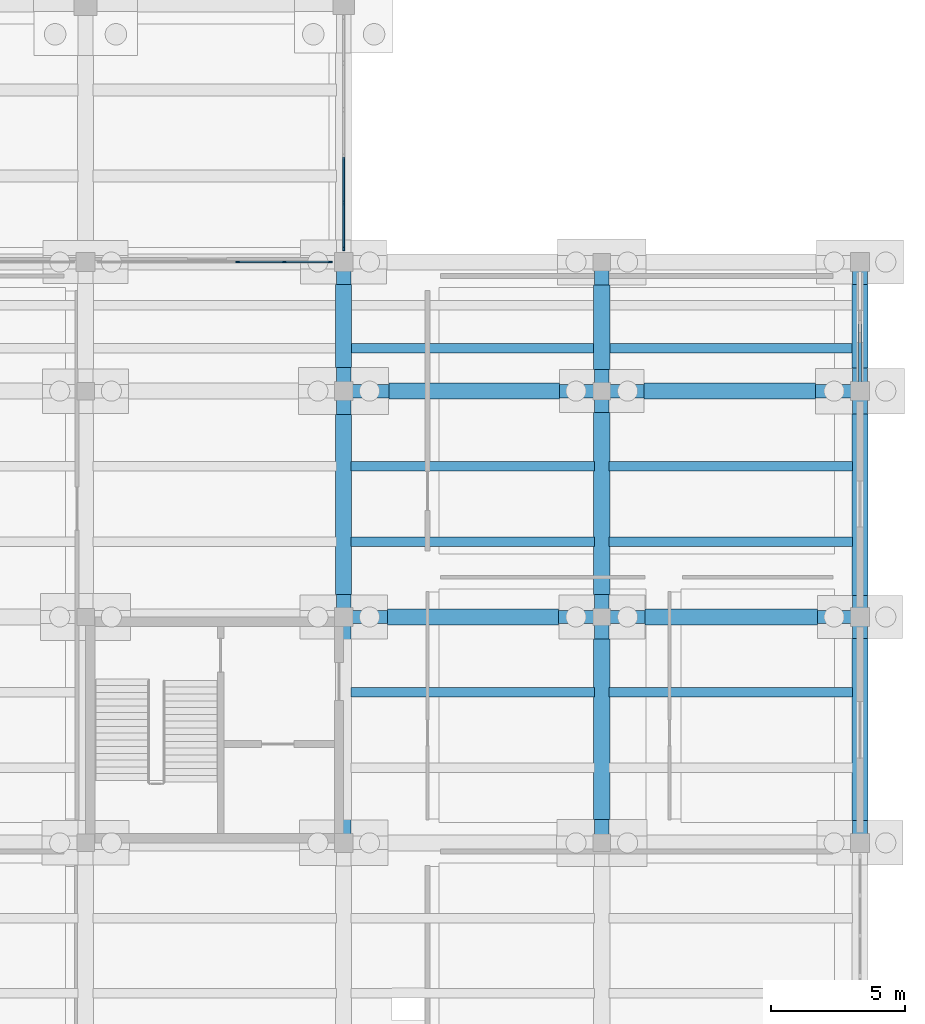
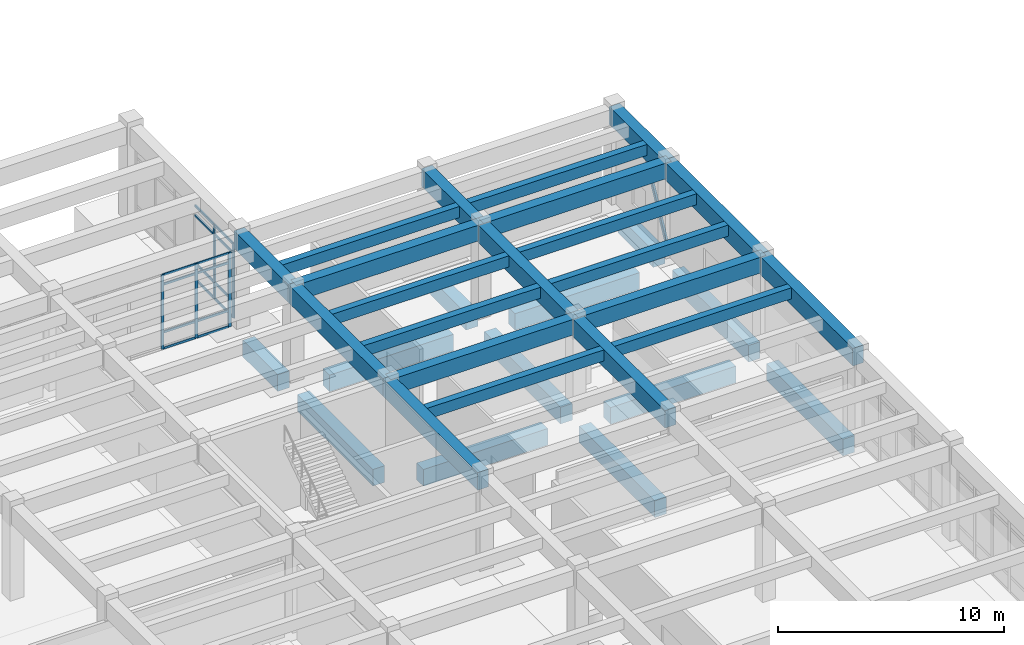
# One storey, part 53 of 102: 33 beams, 22 members, 2 elements without a shape of their own.
"""IFC4 building model written with IfcOpenShell, lengths in metres."""

from ifc_helpers import new_model, si_unit, direction, frame, origin, origin_2d, place, context, subcontext, project, spatial, rectangle, hollow_rectangle, extrude, material, layer, layer_set, material_profile, profile_set, type_object, element, aggregate, save


model = new_model("IFC4")

# Units and contexts
model_context = context("Model", 3, precision=1e-05, world=origin(), true_north=direction((0.0, 1.0)))
body_context = subcontext(model_context, "Body", "Model", "MODEL_VIEW")
ifc_project = project(units=[si_unit("LENGTHUNIT", "METRE"), si_unit("AREAUNIT", "SQUARE_METRE"), si_unit("VOLUMEUNIT", "CUBIC_METRE"), si_unit("PLANEANGLEUNIT", "RADIAN"), si_unit("MASSUNIT", "GRAM", prefix="KILO")], contexts=[model_context])

# Site, building, storey
site_placement = place(None, origin())
site = spatial("IfcSite", under=ifc_project, at=site_placement, CompositionType="ELEMENT")
building_placement = place(site_placement, origin())
building = spatial("IfcBuilding", under=site, at=building_placement, Name="Kolvemor Railside Polytechnic", CompositionType="ELEMENT")
storey_placement = place(building_placement, origin())
storey = spatial("IfcBuildingStorey", under=building, at=storey_placement, Name="L00", CompositionType="ELEMENT", Elevation=0.0)

# Beams
ifc_material_1 = material(Name="Concrete C40/50", Category="concrete")
ifc_material_profile_1 = material_profile(ifc_material_1, rectangle(XDim=0.550048828125, YDim=0.949951171875, at=origin_2d()), Name="RC550x950")
ifc_profile_set_1 = profile_set([ifc_material_profile_1], Name="Concrete C40/50")
beam_type_1 = type_object("IfcBeamType", Name="BM-RC-GIRD", PredefinedType="BEAM", material=ifc_profile_set_1)
beam_1_placement = place(storey_placement, frame((163.199951171875, 60.0, 4.635009765625), z_axis=(0.0, 1.0, 0.0), x_axis=(-1.0, 0.0, 0.0)))
element("IfcBeam", 1, at=beam_1_placement, inside=storey, type_object=beam_type_1, Name="Primary Girder L01-GY 0402", PredefinedType="BEAM", context=body_context, shape_type="SweptSolid", body=[
    extrude(rectangle(XDim=0.550048828125, YDim=0.949951171875, at=origin_2d()), origin(), (0.0, 0.0, 1.0), 8.39990234375),
])
beam_2_placement = place(storey_placement, frame((163.199951171875, 68.39990234375, 4.635009765625), z_axis=(0.0, 1.0, 0.0), x_axis=(-1.0, 0.0, 0.0)))
element("IfcBeam", 2, at=beam_2_placement, inside=storey, type_object=beam_type_1, Name="Primary Girder L01-GY 0403", PredefinedType="BEAM", context=body_context, shape_type="SweptSolid", body=[
    extrude(rectangle(XDim=0.550048828125, YDim=0.949951171875, at=origin_2d()), origin(), (0.0, 0.0, 1.0), 8.400146484375),
])
beam_3_placement = place(storey_placement, frame((163.199951171875, 76.800048828125, 4.635009765625), z_axis=(0.0, 1.0, 0.0), x_axis=(-1.0, 0.0, 0.0)))
element("IfcBeam", 3, at=beam_3_placement, inside=storey, type_object=beam_type_1, Name="Primary Girder L01-GY 0404", PredefinedType="BEAM", context=body_context, shape_type="SweptSolid", body=[
    extrude(rectangle(XDim=0.550048828125, YDim=0.949951171875, at=origin_2d()), origin(), (0.0, 0.0, 1.0), 4.800048828125),
])
beam_4_placement = place(storey_placement, frame((172.800048828125, 60.0, 4.635009765625), z_axis=(0.0, 1.0, 0.0), x_axis=(-1.0, 0.0, 0.0)))
element("IfcBeam", 4, at=beam_4_placement, inside=storey, type_object=beam_type_1, Name="Primary Girder L01-GY 0411", PredefinedType="BEAM", context=body_context, shape_type="SweptSolid", body=[
    extrude(rectangle(XDim=0.550048828125, YDim=0.949951171875, at=origin_2d()), origin(), (0.0, 0.0, 1.0), 8.39990234375),
])
beam_5_placement = place(storey_placement, frame((172.800048828125, 68.39990234375, 4.635009765625), z_axis=(0.0, 1.0, 0.0), x_axis=(-1.0, 0.0, 0.0)))
element("IfcBeam", 5, at=beam_5_placement, inside=storey, type_object=beam_type_1, Name="Primary Girder L01-GY 0412", PredefinedType="BEAM", context=body_context, shape_type="SweptSolid", body=[
    extrude(rectangle(XDim=0.550048828125, YDim=0.949951171875, at=origin_2d()), origin(), (0.0, 0.0, 1.0), 8.400146484375),
])
beam_6_placement = place(storey_placement, frame((172.800048828125, 76.800048828125, 4.635009765625), z_axis=(0.0, 1.0, 0.0), x_axis=(-1.0, 0.0, 0.0)))
element("IfcBeam", 6, at=beam_6_placement, inside=storey, type_object=beam_type_1, Name="Primary Girder L01-GY 0413", PredefinedType="BEAM", context=body_context, shape_type="SweptSolid", body=[
    extrude(rectangle(XDim=0.550048828125, YDim=0.949951171875, at=origin_2d()), origin(), (0.0, 0.0, 1.0), 4.800048828125),
])
beam_7_placement = place(storey_placement, frame((182.39990234375, 60.0, 4.635009765625), z_axis=(0.0, 1.0, 0.0), x_axis=(-1.0, 0.0, 0.0)))
element("IfcBeam", 7, at=beam_7_placement, inside=storey, type_object=beam_type_1, Name="Primary Girder L01-GY 0420", PredefinedType="BEAM", context=body_context, shape_type="SweptSolid", body=[
    extrude(rectangle(XDim=0.550048828125, YDim=0.949951171875, at=origin_2d()), origin(), (0.0, 0.0, 1.0), 8.39990234375),
])
beam_8_placement = place(storey_placement, frame((182.39990234375, 68.39990234375, 4.635009765625), z_axis=(0.0, 1.0, 0.0), x_axis=(-1.0, 0.0, 0.0)))
element("IfcBeam", 8, at=beam_8_placement, inside=storey, type_object=beam_type_1, Name="Primary Girder L01-GY 0421", PredefinedType="BEAM", context=body_context, shape_type="SweptSolid", body=[
    extrude(rectangle(XDim=0.550048828125, YDim=0.949951171875, at=origin_2d()), origin(), (0.0, 0.0, 1.0), 8.400146484375),
])
beam_9_placement = place(storey_placement, frame((182.39990234375, 76.800048828125, 4.635009765625), z_axis=(0.0, 1.0, 0.0), x_axis=(-1.0, 0.0, 0.0)))
element("IfcBeam", 9, at=beam_9_placement, inside=storey, type_object=beam_type_1, Name="Primary Girder L01-GY 0422", PredefinedType="BEAM", context=body_context, shape_type="SweptSolid", body=[
    extrude(rectangle(XDim=0.550048828125, YDim=0.949951171875, at=origin_2d()), origin(), (0.0, 0.0, 1.0), 4.800048828125),
])
ifc_material_2 = material(Name="Concrete C40/50", Category="concrete")
ifc_material_profile_2 = material_profile(ifc_material_2, rectangle(XDim=0.5, YDim=0.85009765625, at=origin_2d()), Name="RC500x850")
ifc_profile_set_2 = profile_set([ifc_material_profile_2], Name="Concrete C40/50")
beam_type_2 = type_object("IfcBeamType", Name="BM-RC-GIRD3", PredefinedType="BEAM", material=ifc_profile_set_2)
beam_10_placement = place(storey_placement, frame((163.199951171875, 68.39990234375, 4.68505859375), z_axis=(1.0, 0.0, 0.0), x_axis=(0.0, 1.0, 0.0)))
element("IfcBeam", 10, at=beam_10_placement, inside=storey, type_object=beam_type_2, Name="Primary Girder L01-GX 0368", PredefinedType="BEAM", context=body_context, shape_type="SweptSolid", body=[
    extrude(rectangle(XDim=0.5, YDim=0.85009765625, at=origin_2d()), origin(), (0.0, 0.0, 1.0), 9.60009765625),
])
beam_11_placement = place(storey_placement, frame((172.800048828125, 68.39990234375, 4.68505859375), z_axis=(1.0, 0.0, 0.0), x_axis=(0.0, 1.0, 0.0)))
element("IfcBeam", 11, at=beam_11_placement, inside=storey, type_object=beam_type_2, Name="Primary Girder L01-GX 0369", PredefinedType="BEAM", context=body_context, shape_type="SweptSolid", body=[
    extrude(rectangle(XDim=0.5, YDim=0.85009765625, at=origin_2d()), origin(), (0.0, 0.0, 1.0), 9.599853515625),
])
beam_12_placement = place(storey_placement, frame((163.199951171875, 76.800048828125, 4.68505859375), z_axis=(1.0, 0.0, 0.0), x_axis=(0.0, 1.0, 0.0)))
element("IfcBeam", 12, at=beam_12_placement, inside=storey, type_object=beam_type_2, Name="Primary Girder L01-GX 0372", PredefinedType="BEAM", context=body_context, shape_type="SweptSolid", body=[
    extrude(rectangle(XDim=0.5, YDim=0.85009765625, at=origin_2d()), origin(), (0.0, 0.0, 1.0), 9.60009765625),
])
beam_13_placement = place(storey_placement, frame((172.800048828125, 76.800048828125, 4.68505859375), z_axis=(1.0, 0.0, 0.0), x_axis=(0.0, 1.0, 0.0)))
element("IfcBeam", 13, at=beam_13_placement, inside=storey, type_object=beam_type_2, Name="Primary Girder L01-GX 0373", PredefinedType="BEAM", context=body_context, shape_type="SweptSolid", body=[
    extrude(rectangle(XDim=0.5, YDim=0.85009765625, at=origin_2d()), origin(), (0.0, 0.0, 1.0), 9.599853515625),
])
ifc_material_3 = material(Name="Concrete C40/50", Category="concrete")
ifc_material_profile_3 = material_profile(ifc_material_3, rectangle(XDim=0.35009765625, YDim=0.60009765625, at=origin_2d()), Name="RC350x600")
ifc_profile_set_3 = profile_set([ifc_material_profile_3], Name="Concrete C40/50")
beam_type_3 = type_object("IfcBeamType", Name="BM-RC-SEC3", PredefinedType="JOIST", material=ifc_profile_set_3)
for number, where, z_axis, x_axis, name in (
    (14, (163.47509765625, 65.60009765625, 4.81005859375), (1.0, 0.0, 0.0), (0.0, 1.0, 0.0), "Floor Joist L01-J0468"),
    (15, (163.47509765625, 71.199951171875, 4.81005859375), (1.0, 0.0, 0.0), (0.0, 1.0, 0.0), "Floor Joist L01-J0469"),
    (16, (163.47509765625, 74.0, 4.81005859375), (1.0, 0.0, 0.0), (0.0, 1.0, 0.0), "Floor Joist L01-J0470"),
    (17, (163.47509765625, 78.39990234375, 4.81005859375), (1.0, 0.0, 0.0), (0.0, 1.0, 0.0), "Floor Joist L01-J0471"),
):
    element("IfcBeam", number, at=place(storey_placement, frame(where, z_axis=z_axis, x_axis=x_axis)), inside=storey, type_object=beam_type_3, Name=name, PredefinedType="JOIST", context=body_context, shape_type="SweptSolid", body=[
        extrude(rectangle(XDim=0.35009765625, YDim=0.60009765625, at=origin_2d()), origin(), (0.0, 0.0, 1.0), 9.0498046875),
    ])
for number, where, z_axis, x_axis, name in (
    (18, (173.074951171875, 65.60009765625, 4.81005859375), (1.0, 0.0, 0.0), (0.0, 1.0, 0.0), "Floor Joist L01-J0486"),
    (19, (173.074951171875, 71.199951171875, 4.81005859375), (1.0, 0.0, 0.0), (0.0, 1.0, 0.0), "Floor Joist L01-J0487"),
    (20, (173.074951171875, 74.0, 4.81005859375), (1.0, 0.0, 0.0), (0.0, 1.0, 0.0), "Floor Joist L01-J0488"),
    (21, (173.074951171875, 78.39990234375, 4.81005859375), (1.0, 0.0, 0.0), (0.0, 1.0, 0.0), "Floor Joist L01-J0489"),
):
    element("IfcBeam", number, at=place(storey_placement, frame(where, z_axis=z_axis, x_axis=x_axis)), inside=storey, type_object=beam_type_3, Name=name, PredefinedType="JOIST", context=body_context, shape_type="SweptSolid", body=[
        extrude(rectangle(XDim=0.35009765625, YDim=0.60009765625, at=origin_2d()), origin(), (0.0, 0.0, 1.0), 9.050048828125),
    ])
ifc_material_4 = material(Name="Concrete C40/50", Category="concrete")
ifc_material_profile_4 = material_profile(ifc_material_4, rectangle(XDim=0.60009765625, YDim=0.89990234375, at=origin_2d()), Name="RC600x900")
ifc_profile_set_4 = profile_set([ifc_material_profile_4], Name="Concrete C40/50")
beam_type_4 = type_object("IfcBeamType", Name="BM-RC-TIE", PredefinedType="BEAM", material=ifc_profile_set_4)
beam_14_placement = place(storey_placement, frame((164.826904296875, 68.39990234375, -0.75), z_axis=(1.0, 0.0, 0.0), x_axis=(0.0, 1.0, 0.0)))
element("IfcBeam", 22, at=beam_14_placement, inside=storey, type_object=beam_type_4, Name="Ground Tie Beam GTB-X163", PredefinedType="BEAM", context=body_context, shape_type="SweptSolid", body=[
    extrude(rectangle(XDim=0.60009765625, YDim=0.89990234375, at=origin_2d()), origin(), (0.0, 0.0, 1.0), 6.37109375),
])
beam_15_placement = place(storey_placement, frame((174.402099609375, 68.39990234375, -0.75), z_axis=(1.0, 0.0, 0.0), x_axis=(0.0, 1.0, 0.0)))
element("IfcBeam", 23, at=beam_15_placement, inside=storey, type_object=beam_type_4, Name="Ground Tie Beam GTB-X164", PredefinedType="BEAM", context=body_context, shape_type="SweptSolid", body=[
    extrude(rectangle(XDim=0.60009765625, YDim=0.89990234375, at=origin_2d()), origin(), (0.0, 0.0, 1.0), 6.4208984375),
])
beam_16_placement = place(storey_placement, frame((164.876953125, 76.800048828125, -0.75), z_axis=(1.0, 0.0, 0.0), x_axis=(0.0, 1.0, 0.0)))
element("IfcBeam", 24, at=beam_16_placement, inside=storey, type_object=beam_type_4, Name="Ground Tie Beam GTB-X173", PredefinedType="BEAM", context=body_context, shape_type="SweptSolid", body=[
    extrude(rectangle(XDim=0.60009765625, YDim=0.89990234375, at=origin_2d()), origin(), (0.0, 0.0, 1.0), 6.345947265625),
])
beam_17_placement = place(storey_placement, frame((174.376953125, 76.800048828125, -0.75), z_axis=(1.0, 0.0, 0.0), x_axis=(0.0, 1.0, 0.0)))
element("IfcBeam", 25, at=beam_17_placement, inside=storey, type_object=beam_type_4, Name="Ground Tie Beam GTB-X174", PredefinedType="BEAM", context=body_context, shape_type="SweptSolid", body=[
    extrude(rectangle(XDim=0.60009765625, YDim=0.89990234375, at=origin_2d()), origin(), (0.0, 0.0, 1.0), 6.37109375),
])
beam_18_placement = place(storey_placement, frame((163.199951171875, 69.22705078125, -0.75), z_axis=(0.0, 1.0, 0.0), x_axis=(-1.0, 0.0, 0.0)))
element("IfcBeam", 26, at=beam_18_placement, inside=storey, type_object=beam_type_4, Name="Ground Tie Beam GTB-Y425", PredefinedType="BEAM", context=body_context, shape_type="SweptSolid", body=[
    extrude(rectangle(XDim=0.60009765625, YDim=0.89990234375, at=origin_2d()), origin(), (0.0, 0.0, 1.0), 6.696044921875),
])
beam_19_placement = place(storey_placement, frame((163.199951171875, 77.677001953125, -0.75), z_axis=(0.0, 1.0, 0.0), x_axis=(-1.0, 0.0, 0.0)))
element("IfcBeam", 27, at=beam_19_placement, inside=storey, type_object=beam_type_4, Name="Ground Tie Beam GTB-Y426", PredefinedType="BEAM", context=body_context, shape_type="SweptSolid", body=[
    extrude(rectangle(XDim=0.60009765625, YDim=0.89990234375, at=origin_2d()), origin(), (0.0, 0.0, 1.0), 3.095947265625),
])
beam_20_placement = place(storey_placement, frame((172.800048828125, 60.876953125, -0.75), z_axis=(0.0, 1.0, 0.0), x_axis=(-1.0, 0.0, 0.0)))
element("IfcBeam", 28, at=beam_20_placement, inside=storey, type_object=beam_type_4, Name="Ground Tie Beam GTB-Y435", PredefinedType="BEAM", context=body_context, shape_type="SweptSolid", body=[
    extrude(rectangle(XDim=0.60009765625, YDim=0.89990234375, at=origin_2d()), origin(), (0.0, 0.0, 1.0), 6.696044921875),
])
beam_21_placement = place(storey_placement, frame((172.800048828125, 69.22705078125, -0.75), z_axis=(0.0, 1.0, 0.0), x_axis=(-1.0, 0.0, 0.0)))
element("IfcBeam", 29, at=beam_21_placement, inside=storey, type_object=beam_type_4, Name="Ground Tie Beam GTB-Y436", PredefinedType="BEAM", context=body_context, shape_type="SweptSolid", body=[
    extrude(rectangle(XDim=0.60009765625, YDim=0.89990234375, at=origin_2d()), origin(), (0.0, 0.0, 1.0), 6.77099609375),
])
beam_22_placement = place(storey_placement, frame((172.800048828125, 77.60205078125, -0.75), z_axis=(0.0, 1.0, 0.0), x_axis=(-1.0, 0.0, 0.0)))
element("IfcBeam", 30, at=beam_22_placement, inside=storey, type_object=beam_type_4, Name="Ground Tie Beam GTB-Y437", PredefinedType="BEAM", context=body_context, shape_type="SweptSolid", body=[
    extrude(rectangle(XDim=0.60009765625, YDim=0.89990234375, at=origin_2d()), origin(), (0.0, 0.0, 1.0), 3.14599609375),
])
beam_23_placement = place(storey_placement, frame((182.39990234375, 60.826904296875, -0.75), z_axis=(0.0, 1.0, 0.0), x_axis=(-1.0, 0.0, 0.0)))
element("IfcBeam", 31, at=beam_23_placement, inside=storey, type_object=beam_type_4, Name="Ground Tie Beam GTB-Y445", PredefinedType="BEAM", context=body_context, shape_type="SweptSolid", body=[
    extrude(rectangle(XDim=0.60009765625, YDim=0.89990234375, at=origin_2d()), origin(), (0.0, 0.0, 1.0), 6.77099609375),
])
beam_24_placement = place(storey_placement, frame((182.39990234375, 69.201904296875, -0.75), z_axis=(0.0, 1.0, 0.0), x_axis=(-1.0, 0.0, 0.0)))
element("IfcBeam", 32, at=beam_24_placement, inside=storey, type_object=beam_type_4, Name="Ground Tie Beam GTB-Y446", PredefinedType="BEAM", context=body_context, shape_type="SweptSolid", body=[
    extrude(rectangle(XDim=0.60009765625, YDim=0.89990234375, at=origin_2d()), origin(), (0.0, 0.0, 1.0), 6.74609375),
])
beam_25_placement = place(storey_placement, frame((182.39990234375, 77.652099609375, -0.75), z_axis=(0.0, 1.0, 0.0), x_axis=(-1.0, 0.0, 0.0)))
element("IfcBeam", 33, at=beam_25_placement, inside=storey, type_object=beam_type_4, Name="Ground Tie Beam GTB-Y447", PredefinedType="BEAM", context=body_context, shape_type="SweptSolid", body=[
    extrude(rectangle(XDim=0.60009765625, YDim=0.89990234375, at=origin_2d()), origin(), (0.0, 0.0, 1.0), 3.120849609375),
])

# Curtain wall, members
ifc_material_5 = material(Name="Anodised marine aluminium and laminated low-E glass", Category="aluminium")
ifc_layer = layer(ifc_material_5, 0.179931640625, Name="CW-UNIT-STD")
ifc_layer_set = layer_set([ifc_layer], Name="Anodised marine aluminium and laminated low-E glass")
curtain_wall_type = type_object("IfcCurtainWallType", Name="CW-UNIT-STD", PredefinedType="USERDEFINED", material=ifc_layer_set)
curtain_wall_1_placement = place(storey_placement, origin())
curtain_wall_1 = element("IfcCurtainWall", 34, at=curtain_wall_1_placement, inside=storey, type_object=curtain_wall_type, Name="Curtain Wall L00-033", ObjectType="UNITISED CURTAIN WALL", PredefinedType="USERDEFINED")
ifc_material_6 = material(Name="Anodised marine aluminium 6063-T6", Category="aluminium")
ifc_material_profile_5 = material_profile(ifc_material_6, rectangle(XDim=0.06494140625, YDim=0.14990234375, at=origin_2d()), Name="CW-MUL-65x150")
ifc_profile_set_5 = profile_set([ifc_material_profile_5], Name="Anodised marine aluminium 6063-T6")
member_type_1 = type_object("IfcMemberType", Name="CWM-65x150", PredefinedType="MULLION", material=ifc_profile_set_5)
member_1_placement = place(storey_placement, frame((162.697509765625, 81.60009765625, 0.0), z_axis=(0.0, 0.0, 1.0), x_axis=(0.0, -1.0, 0.0)))
member_1 = element("IfcMember", 35, at=member_1_placement, type_object=member_type_1, Name="CW-STD mullion 1", PredefinedType="MULLION", context=body_context, shape_type="SweptSolid", body=[
    extrude(rectangle(XDim=0.06494140625, YDim=0.14990234375, at=origin_2d()), origin(), (0.0, 0.0, 1.0), 4.0400390625),
])
member_2_placement = place(storey_placement, frame((160.998046875, 81.60009765625, 0.0), z_axis=(0.0, 0.0, 1.0), x_axis=(0.0, -1.0, 0.0)))
member_2 = element("IfcMember", 36, at=member_2_placement, type_object=member_type_1, Name="CW-STD mullion 2", PredefinedType="MULLION", context=body_context, shape_type="SweptSolid", body=[
    extrude(rectangle(XDim=0.06494140625, YDim=0.14990234375, at=origin_2d()), origin(), (0.0, 0.0, 1.0), 4.0400390625),
])
member_3_placement = place(storey_placement, frame((159.26611328125, 81.60009765625, 0.0), z_axis=(0.0, 0.0, 1.0), x_axis=(0.0, -1.0, 0.0)))
member_3 = element("IfcMember", 37, at=member_3_placement, type_object=member_type_1, Name="CW-STD mullion 3", PredefinedType="MULLION", context=body_context, shape_type="SweptSolid", body=[
    extrude(rectangle(XDim=0.06494140625, YDim=0.14990234375, at=origin_2d()), origin(), (0.0, 0.0, 1.0), 4.0400390625),
])

curtain_wall_2_placement = place(storey_placement, origin())
curtain_wall_2 = element("IfcCurtainWall", 38, at=curtain_wall_2_placement, inside=storey, type_object=curtain_wall_type, Name="Curtain Wall L00-035", ObjectType="UNITISED CURTAIN WALL", PredefinedType="USERDEFINED")
member_4_placement = place(storey_placement, frame((163.199951171875, 82.1025390625, 0.0), z_axis=(0.0, 0.0, 1.0), x_axis=(-1.0, 0.0, 0.0)))
member_4 = element("IfcMember", 39, at=member_4_placement, type_object=member_type_1, Name="CW-STD mullion 1", PredefinedType="MULLION", context=body_context, shape_type="SweptSolid", body=[
    extrude(rectangle(XDim=0.06494140625, YDim=0.14990234375, at=origin_2d()), origin(), (0.0, 0.0, 1.0), 4.0400390625),
])
member_5_placement = place(storey_placement, frame((163.199951171875, 83.802001953125, 0.0), z_axis=(0.0, 0.0, 1.0), x_axis=(-1.0, 0.0, 0.0)))
member_5 = element("IfcMember", 40, at=member_5_placement, type_object=member_type_1, Name="CW-STD mullion 2", PredefinedType="MULLION", context=body_context, shape_type="SweptSolid", body=[
    extrude(rectangle(XDim=0.06494140625, YDim=0.14990234375, at=origin_2d()), origin(), (0.0, 0.0, 1.0), 4.0400390625),
])

# Member
ifc_material_7 = material(Name="Anodised marine aluminium 6063-T6", Category="aluminium")
ifc_material_profile_6 = material_profile(ifc_material_7, rectangle(XDim=0.06494140625, YDim=0.1201171875, at=origin_2d()), Name="CW-TRN-65x120")
ifc_profile_set_6 = profile_set([ifc_material_profile_6], Name="Anodised marine aluminium 6063-T6")
member_type_2 = type_object("IfcMemberType", Name="CWT-65x120", PredefinedType="USERDEFINED", material=ifc_profile_set_6)
member_6_placement = place(storey_placement, frame((162.6650390625, 81.60009765625, 0.032470703125), z_axis=(-1.0, 0.0, 0.0), x_axis=(0.0, -1.0, 0.0)))
member_6 = element("IfcMember", 41, at=member_6_placement, type_object=member_type_2, Name="CW-STD transom 1.1", ObjectType="TRANSOM", PredefinedType="USERDEFINED", context=body_context, shape_type="SweptSolid", body=[
    extrude(rectangle(XDim=0.06494140625, YDim=0.1201171875, at=origin_2d()), origin(), (0.0, 0.0, 1.0), 1.634521484375),
])

member_7_placement = place(storey_placement, frame((162.6650390625, 81.60009765625, 0.89990234375), z_axis=(-1.0, 0.0, 0.0), x_axis=(0.0, -1.0, 0.0)))
member_7 = element("IfcMember", 42, at=member_7_placement, type_object=member_type_2, Name="CW-STD transom 1.2", ObjectType="TRANSOM", PredefinedType="USERDEFINED", context=body_context, shape_type="SweptSolid", body=[
    extrude(rectangle(XDim=0.06494140625, YDim=0.1201171875, at=origin_2d()), origin(), (0.0, 0.0, 1.0), 1.634521484375),
])

member_8_placement = place(storey_placement, frame((162.6650390625, 81.60009765625, 3.489990234375), z_axis=(-1.0, 0.0, 0.0), x_axis=(0.0, -1.0, 0.0)))
member_8 = element("IfcMember", 43, at=member_8_placement, type_object=member_type_2, Name="CW-STD transom 1.3", ObjectType="TRANSOM", PredefinedType="USERDEFINED", context=body_context, shape_type="SweptSolid", body=[
    extrude(rectangle(XDim=0.06494140625, YDim=0.1201171875, at=origin_2d()), origin(), (0.0, 0.0, 1.0), 1.634521484375),
])

member_9_placement = place(storey_placement, frame((162.6650390625, 81.60009765625, 4.007568359375), z_axis=(-1.0, 0.0, 0.0), x_axis=(0.0, -1.0, 0.0)))
member_9 = element("IfcMember", 44, at=member_9_placement, type_object=member_type_2, Name="CW-STD transom 1.4", ObjectType="TRANSOM", PredefinedType="USERDEFINED", context=body_context, shape_type="SweptSolid", body=[
    extrude(rectangle(XDim=0.06494140625, YDim=0.1201171875, at=origin_2d()), origin(), (0.0, 0.0, 1.0), 1.634521484375),
])

member_10_placement = place(storey_placement, frame((160.965576171875, 81.60009765625, 0.032470703125), z_axis=(-1.0, 0.0, 0.0), x_axis=(0.0, -1.0, 0.0)))
member_10 = element("IfcMember", 45, at=member_10_placement, type_object=member_type_2, Name="CW-STD transom 2.1", ObjectType="TRANSOM", PredefinedType="USERDEFINED", context=body_context, shape_type="SweptSolid", body=[
    extrude(rectangle(XDim=0.06494140625, YDim=0.1201171875, at=origin_2d()), origin(), (0.0, 0.0, 1.0), 1.6669921875),
])

member_11_placement = place(storey_placement, frame((160.965576171875, 81.60009765625, 0.89990234375), z_axis=(-1.0, 0.0, 0.0), x_axis=(0.0, -1.0, 0.0)))
member_11 = element("IfcMember", 46, at=member_11_placement, type_object=member_type_2, Name="CW-STD transom 2.2", ObjectType="TRANSOM", PredefinedType="USERDEFINED", context=body_context, shape_type="SweptSolid", body=[
    extrude(rectangle(XDim=0.06494140625, YDim=0.1201171875, at=origin_2d()), origin(), (0.0, 0.0, 1.0), 1.6669921875),
])

member_12_placement = place(storey_placement, frame((160.965576171875, 81.60009765625, 3.489990234375), z_axis=(-1.0, 0.0, 0.0), x_axis=(0.0, -1.0, 0.0)))
member_12 = element("IfcMember", 47, at=member_12_placement, type_object=member_type_2, Name="CW-STD transom 2.3", ObjectType="TRANSOM", PredefinedType="USERDEFINED", context=body_context, shape_type="SweptSolid", body=[
    extrude(rectangle(XDim=0.06494140625, YDim=0.1201171875, at=origin_2d()), origin(), (0.0, 0.0, 1.0), 1.6669921875),
])

member_13_placement = place(storey_placement, frame((160.965576171875, 81.60009765625, 4.007568359375), z_axis=(-1.0, 0.0, 0.0), x_axis=(0.0, -1.0, 0.0)))
member_13 = element("IfcMember", 48, at=member_13_placement, type_object=member_type_2, Name="CW-STD transom 2.4", ObjectType="TRANSOM", PredefinedType="USERDEFINED", context=body_context, shape_type="SweptSolid", body=[
    extrude(rectangle(XDim=0.06494140625, YDim=0.1201171875, at=origin_2d()), origin(), (0.0, 0.0, 1.0), 1.6669921875),
])

aggregate(curtain_wall_1, [member_1, member_2, member_3, member_6, member_7, member_8, member_9, member_10, member_11, member_12, member_13])

member_14_placement = place(storey_placement, frame((163.199951171875, 82.135009765625, 0.032470703125), z_axis=(0.0, 1.0, 0.0), x_axis=(-1.0, 0.0, 0.0)))
member_14 = element("IfcMember", 49, at=member_14_placement, type_object=member_type_2, Name="CW-STD transom 1.1", ObjectType="TRANSOM", PredefinedType="USERDEFINED", context=body_context, shape_type="SweptSolid", body=[
    extrude(rectangle(XDim=0.06494140625, YDim=0.1201171875, at=origin_2d()), origin(), (0.0, 0.0, 1.0), 1.634521484375),
])

member_15_placement = place(storey_placement, frame((163.199951171875, 82.135009765625, 0.89990234375), z_axis=(0.0, 1.0, 0.0), x_axis=(-1.0, 0.0, 0.0)))
member_15 = element("IfcMember", 50, at=member_15_placement, type_object=member_type_2, Name="CW-STD transom 1.2", ObjectType="TRANSOM", PredefinedType="USERDEFINED", context=body_context, shape_type="SweptSolid", body=[
    extrude(rectangle(XDim=0.06494140625, YDim=0.1201171875, at=origin_2d()), origin(), (0.0, 0.0, 1.0), 1.634521484375),
])

member_16_placement = place(storey_placement, frame((163.199951171875, 82.135009765625, 3.489990234375), z_axis=(0.0, 1.0, 0.0), x_axis=(-1.0, 0.0, 0.0)))
member_16 = element("IfcMember", 51, at=member_16_placement, type_object=member_type_2, Name="CW-STD transom 1.3", ObjectType="TRANSOM", PredefinedType="USERDEFINED", context=body_context, shape_type="SweptSolid", body=[
    extrude(rectangle(XDim=0.06494140625, YDim=0.1201171875, at=origin_2d()), origin(), (0.0, 0.0, 1.0), 1.634521484375),
])

member_17_placement = place(storey_placement, frame((163.199951171875, 82.135009765625, 4.007568359375), z_axis=(0.0, 1.0, 0.0), x_axis=(-1.0, 0.0, 0.0)))
member_17 = element("IfcMember", 52, at=member_17_placement, type_object=member_type_2, Name="CW-STD transom 1.4", ObjectType="TRANSOM", PredefinedType="USERDEFINED", context=body_context, shape_type="SweptSolid", body=[
    extrude(rectangle(XDim=0.06494140625, YDim=0.1201171875, at=origin_2d()), origin(), (0.0, 0.0, 1.0), 1.634521484375),
])

member_18_placement = place(storey_placement, frame((163.199951171875, 83.83447265625, 0.032470703125), z_axis=(0.0, 1.0, 0.0), x_axis=(-1.0, 0.0, 0.0)))
member_18 = element("IfcMember", 53, at=member_18_placement, type_object=member_type_2, Name="CW-STD transom 2.1", ObjectType="TRANSOM", PredefinedType="USERDEFINED", context=body_context, shape_type="SweptSolid", body=[
    extrude(rectangle(XDim=0.06494140625, YDim=0.1201171875, at=origin_2d()), origin(), (0.0, 0.0, 1.0), 1.6669921875),
])

member_19_placement = place(storey_placement, frame((163.199951171875, 83.83447265625, 0.89990234375), z_axis=(0.0, 1.0, 0.0), x_axis=(-1.0, 0.0, 0.0)))
member_19 = element("IfcMember", 54, at=member_19_placement, type_object=member_type_2, Name="CW-STD transom 2.2", ObjectType="TRANSOM", PredefinedType="USERDEFINED", context=body_context, shape_type="SweptSolid", body=[
    extrude(rectangle(XDim=0.06494140625, YDim=0.1201171875, at=origin_2d()), origin(), (0.0, 0.0, 1.0), 1.6669921875),
])

member_20_placement = place(storey_placement, frame((163.199951171875, 83.83447265625, 3.489990234375), z_axis=(0.0, 1.0, 0.0), x_axis=(-1.0, 0.0, 0.0)))
member_20 = element("IfcMember", 55, at=member_20_placement, type_object=member_type_2, Name="CW-STD transom 2.3", ObjectType="TRANSOM", PredefinedType="USERDEFINED", context=body_context, shape_type="SweptSolid", body=[
    extrude(rectangle(XDim=0.06494140625, YDim=0.1201171875, at=origin_2d()), origin(), (0.0, 0.0, 1.0), 1.6669921875),
])

member_21_placement = place(storey_placement, frame((163.199951171875, 83.83447265625, 4.007568359375), z_axis=(0.0, 1.0, 0.0), x_axis=(-1.0, 0.0, 0.0)))
member_21 = element("IfcMember", 56, at=member_21_placement, type_object=member_type_2, Name="CW-STD transom 2.4", ObjectType="TRANSOM", PredefinedType="USERDEFINED", context=body_context, shape_type="SweptSolid", body=[
    extrude(rectangle(XDim=0.06494140625, YDim=0.1201171875, at=origin_2d()), origin(), (0.0, 0.0, 1.0), 1.6669921875),
])

aggregate(curtain_wall_2, [member_4, member_5, member_14, member_15, member_16, member_17, member_18, member_19, member_20, member_21])

ifc_material_8 = material(Name="Steel S355", Category="steel")
ifc_material_profile_7 = material_profile(ifc_material_8, hollow_rectangle(XDim=0.1201171875, YDim=0.199951171875, WallThickness=0.008056640625, InnerFilletRadius=0.008056640625, OuterFilletRadius=0.01611328125, at=origin_2d()), Name="HSS200x120x8")
ifc_profile_set_7 = profile_set([ifc_material_profile_7], Name="Steel S355")
member_type_3 = type_object("IfcMemberType", Name="MEM-BR-HSS2", PredefinedType="BRACE", material=ifc_profile_set_7)
member_22_placement = place(storey_placement, frame((182.39990234375, 76.800048828125, 0.14990234375), z_axis=(0.0, 0.457838355201, 0.889035455146), x_axis=(-1.0, 0.0, 0.0)))
element("IfcMember", 57, at=member_22_placement, inside=storey, type_object=member_type_3, Name="Wind Chevron Brace BR-07A", PredefinedType="BRACE", context=body_context, shape_type="SweptSolid", body=[
    extrude(hollow_rectangle(XDim=0.1201171875, YDim=0.199951171875, WallThickness=0.008056640625, InnerFilletRadius=0.008056640625, OuterFilletRadius=0.01611328125, at=origin_2d()), origin(), (0.0, 0.0, 1.0), 5.24169921875),
])

save(model, "model.ifc")
